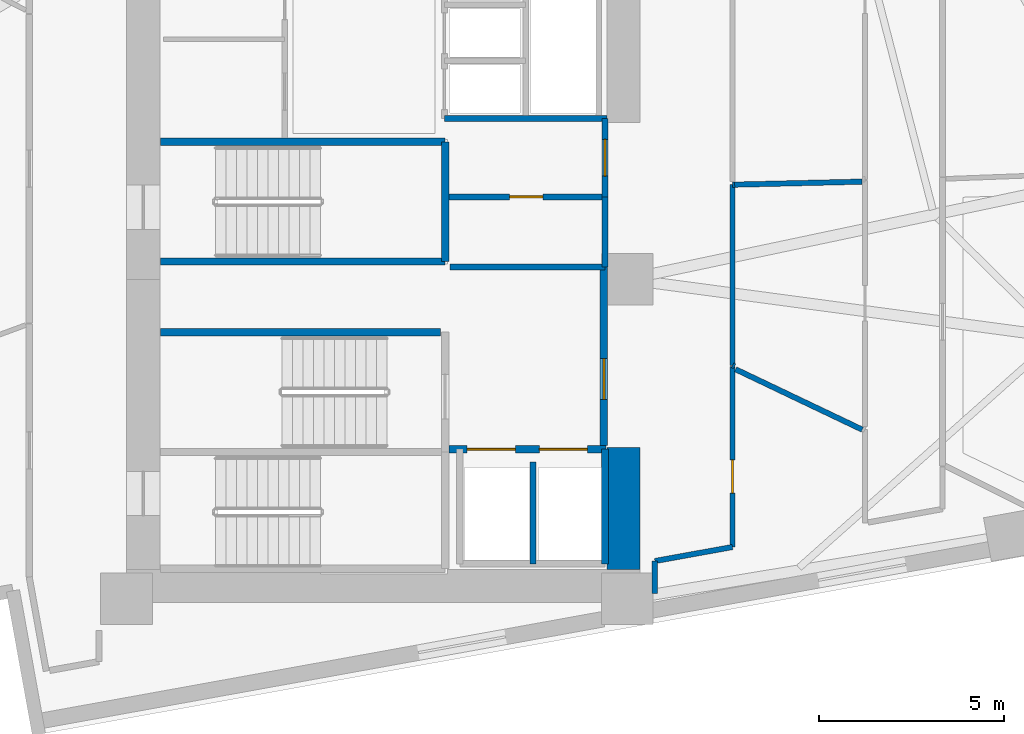
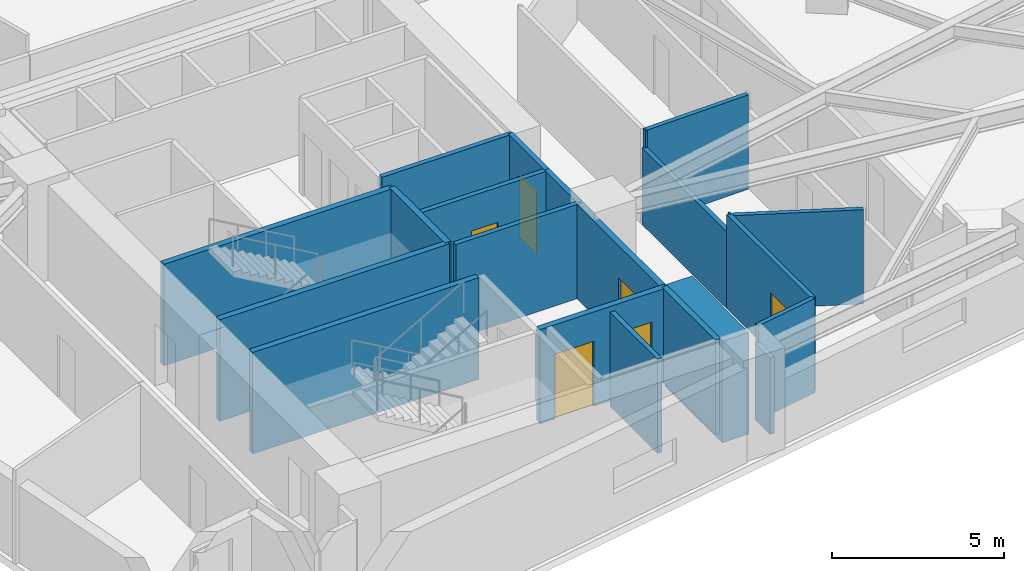
# One storey, part 13 of 19: 22 walls, 6 doors, 6 openings.
"""IFC4 building model written with IfcOpenShell, lengths in metres."""

from ifc_helpers import new_model, si_unit, direction, frame, frame_2d, origin, place, context, subcontext, project, spatial, rectangle, extrude, material, layer, layer_set, type_object, element, fill, save


model = new_model("IFC4")

# Units and contexts
model_context = context("Model", 3, precision=1e-05, world=origin(), true_north=direction((0.0, 1.0)))
body_context = subcontext(model_context, "Body", "Model", "MODEL_VIEW")
ifc_project = project(units=[si_unit("LENGTHUNIT", "METRE"), si_unit("AREAUNIT", "SQUARE_METRE"), si_unit("VOLUMEUNIT", "CUBIC_METRE"), si_unit("PLANEANGLEUNIT", "RADIAN"), si_unit("MASSUNIT", "GRAM", prefix="KILO")], contexts=[model_context])

# Site, building, storey
site_placement = place(None, origin())
site = spatial("IfcSite", under=ifc_project, at=site_placement, CompositionType="ELEMENT")
building_placement = place(site_placement, origin())
building = spatial("IfcBuilding", under=site, at=building_placement, Name="Narakoshi Arena Tower", CompositionType="ELEMENT")
storey_placement = place(building_placement, frame((0.0, 0.0, 113.699951171875)))
storey = spatial("IfcBuildingStorey", under=building, at=storey_placement, Name="L30", CompositionType="ELEMENT", Elevation=113.699951171875)

# Wall
ifc_material_1 = material(Name="Concrete C60/75", Category="concrete")
ifc_layer_1 = layer(ifc_material_1, 0.89990234375)
ifc_layer_set_1 = layer_set([ifc_layer_1], Name="Concrete C60/75")
wall_type_1 = type_object("IfcWallType", Name="WL-CORE-900", PredefinedType="SHEAR", material=ifc_layer_set_1)
wall_1_placement = place(storey_placement, frame((85.449951171875, 35.5, -0.260009765625), z_axis=(0.0, 0.0, 1.0), x_axis=(0.0, 1.0, 0.0)))
element("IfcWall", 1, at=wall_1_placement, inside=storey, type_object=wall_type_1, Name="L30 Central Core Shear Wall CW-APX-E", PredefinedType="SHEAR", context=body_context, shape_type="SweptSolid", body=[
    extrude(rectangle(XDim=3.300048828125, YDim=0.89990234375, at=frame_2d((1.64990234375, 0.0))), origin(), (0.0, 0.0, 1.0), 3.60009765625),
])

# Wall, opening, door
ifc_material_2 = material(Name="Gypsum plasterboard fire-rated partition")
ifc_layer_2 = layer(ifc_material_2, 0.1650390625)
ifc_layer_set_2 = layer_set([ifc_layer_2], Name="Gypsum plasterboard fire-rated partition")
wall_type_2 = type_object("IfcWallType", Name="WL-CORR-165", PredefinedType="PARTITIONING", material=ifc_layer_set_2)
wall_2_placement = place(storey_placement, frame((84.949951171875, 45.580078125, 0.0), z_axis=(0.0, 0.0, 1.0), x_axis=(0.0, 1.0, 0.0)))
wall_2 = element("IfcWall", 2, at=wall_2_placement, inside=storey, type_object=wall_type_2, Name="L30 Core Wall CPAS-E", PredefinedType="PARTITIONING", context=body_context, shape_type="SweptSolid", body=[
    extrude(rectangle(XDim=2.119873046875, YDim=0.1650390625, at=frame_2d((1.06005859375, 0.0))), origin(), (0.0, 0.0, 1.0), 3.340087890625),
])
opening_1_placement = place(wall_2_placement, frame((0.56005859375, 0.0, 0.0)))
opening_1 = element("IfcOpeningElement", 3, at=opening_1_placement, cuts=wall_2, Name="Opening D-06", PredefinedType="OPENING", context=body_context, shape_type="SweptSolid", body=[
    extrude(rectangle(XDim=1.0, YDim=2.199951171875, at=frame_2d((0.5, 1.10009765625))), frame((0.0, 0.092529296875, 0.0), z_axis=(0.0, -1.0, 0.0), x_axis=(1.0, 0.0, 0.0)), (0.0, 0.0, 1.0), 0.18505859375),
])
ifc_material_3 = material(Name="Stained oak solid-core timber", Category="wood")
door_type_1 = type_object("IfcDoorType", Name="DR-OFF-1000", OperationType="NOTDEFINED", PredefinedType="DOOR", material=ifc_material_3)
door_1_placement = place(opening_1_placement, frame((1.0, 0.0, 0.0), z_axis=(0.0, 0.0, 1.0), x_axis=(-1.0, 0.0, 0.0)))
door_1 = element("IfcDoor", 4, at=door_1_placement, inside=storey, type_object=door_type_1, Name="DR-L30-008", OperationType="SINGLE_SWING_LEFT", OverallHeight=2.199951171875, OverallWidth=1.0, PredefinedType="DOOR", context=body_context, shape_type="SweptSolid", body=[
    extrude(rectangle(XDim=1.0, YDim=2.199951171875, at=frame_2d((0.5, 1.10009765625))), frame((0.0, 0.02490234375, 0.0), z_axis=(0.0, -1.0, 0.0), x_axis=(1.0, 0.0, 0.0)), (0.0, 0.0, 1.0), 0.050048828125),
])
fill(opening_1, door_1)

# Walls
ifc_material_4 = material(Name="Concrete C40/50", Category="concrete")
ifc_layer_3 = layer(ifc_material_4, 0.280029296875)
ifc_layer_set_3 = layer_set([ifc_layer_3], Name="Concrete C40/50")
wall_type_3 = type_object("IfcWallType", Name="WL-RISER-280", PredefinedType="PLUMBINGWALL", material=ifc_layer_set_3)
wall_3_placement = place(storey_placement, frame((83.0, 35.64990234375, 0.0), z_axis=(0.0, 0.0, 1.0), x_axis=(0.0, 1.0, 0.0)))
element("IfcWall", 5, at=wall_3_placement, inside=storey, type_object=wall_type_3, Name="L30 Core Wall FF-DIV", PredefinedType="PLUMBINGWALL", context=body_context, shape_type="SweptSolid", body=[
    extrude(rectangle(XDim=2.75, YDim=0.159912109375, at=frame_2d((1.375, 0.0))), origin(), (0.0, 0.0, 1.0), 3.340087890625),
])
wall_4_placement = place(storey_placement, frame((84.949951171875, 43.679931640625, 0.0), z_axis=(0.0, 0.0, 1.0), x_axis=(0.0, 1.0, 0.0)))
element("IfcWall", 6, at=wall_4_placement, inside=storey, type_object=wall_type_3, Name="L30 Core Wall RSR-E", PredefinedType="PLUMBINGWALL", context=body_context, shape_type="SweptSolid", body=[
    extrude(rectangle(XDim=1.900146484375, YDim=0.1650390625, at=frame_2d((0.9501953125, 0.0))), origin(), (0.0, 0.0, 1.0), 3.340087890625),
])

# Wall, opening, door
wall_5_placement = place(storey_placement, frame((80.719970703125, 45.580078125, 0.0), z_axis=(0.0, 0.0, 1.0), x_axis=(1.0, 0.0, 0.0)))
wall_5 = element("IfcWall", 7, at=wall_5_placement, inside=storey, type_object=wall_type_3, Name="L30 Core Wall RSR-N", PredefinedType="PLUMBINGWALL", context=body_context, shape_type="SweptSolid", body=[
    extrude(rectangle(XDim=4.22998046875, YDim=0.159912109375, at=frame_2d((2.114990234375, 0.0))), origin(), (0.0, 0.0, 1.0), 3.340087890625),
])
opening_2_placement = place(wall_5_placement, frame((1.64990234375, 0.0, 0.0)))
opening_2 = element("IfcOpeningElement", 8, at=opening_2_placement, cuts=wall_5, Name="Opening D-08", PredefinedType="OPENING", context=body_context, shape_type="SweptSolid", body=[
    extrude(rectangle(XDim=0.89990234375, YDim=2.10009765625, at=frame_2d((0.449951171875, 1.050048828125))), frame((0.0, 0.08984375, 0.0), z_axis=(0.0, -1.0, 0.0), x_axis=(1.0, 0.0, 0.0)), (0.0, 0.0, 1.0), 0.179931640625),
])
ifc_material_5 = material(Name="Moisture-resistant laminate timber", Category="wood")
door_type_2 = type_object("IfcDoorType", Name="DR-WC-900", OperationType="NOTDEFINED", PredefinedType="DOOR", material=ifc_material_5)
door_2_placement = place(opening_2_placement, frame((0.89990234375, 0.0, 0.0), z_axis=(0.0, 0.0, 1.0), x_axis=(-1.0, 0.0, 0.0)))
door_2 = element("IfcDoor", 9, at=door_2_placement, inside=storey, type_object=door_type_2, Name="DR-L30-009", OperationType="SINGLE_SWING_LEFT", OverallHeight=2.10009765625, OverallWidth=0.89990234375, PredefinedType="DOOR", context=body_context, shape_type="SweptSolid", body=[
    extrude(rectangle(XDim=0.89990234375, YDim=2.10009765625, at=frame_2d((0.449951171875, 1.050048828125))), frame((0.0, 0.02490234375, 0.0), z_axis=(0.0, -1.0, 0.0), x_axis=(1.0, 0.0, 0.0)), (0.0, 0.0, 1.0), 0.050048828125),
])
fill(opening_2, door_2)

# Wall
wall_6_placement = place(storey_placement, frame((80.760009765625, 43.679931640625, 0.0), z_axis=(0.0, 0.0, 1.0), x_axis=(1.0, 0.0, 0.0)))
element("IfcWall", 10, at=wall_6_placement, inside=storey, type_object=wall_type_3, Name="L30 Core Wall RSR-S", PredefinedType="PLUMBINGWALL", context=body_context, shape_type="SweptSolid", body=[
    extrude(rectangle(XDim=4.18994140625, YDim=0.159912109375, at=frame_2d((2.094970703125, 0.0))), origin(), (0.0, 0.0, 1.0), 3.340087890625),
])

# Wall, openings, doors
ifc_material_6 = material(Name="Concrete C50/60", Category="concrete")
ifc_layer_4 = layer(ifc_material_6, 0.35009765625)
ifc_layer_set_4 = layer_set([ifc_layer_4], Name="Concrete C50/60")
wall_type_4 = type_object("IfcWallType", Name="WL-SHAFT-350", PredefinedType="SOLIDWALL", material=ifc_layer_set_4)
wall_7_placement = place(storey_placement, frame((80.719970703125, 38.75, 0.0), z_axis=(0.0, 0.0, 1.0), x_axis=(1.0, 0.0, 0.0)))
wall_7 = element("IfcWall", 11, at=wall_7_placement, inside=storey, type_object=wall_type_4, Name="L30 Core Wall FF-N", PredefinedType="SOLIDWALL", context=body_context, shape_type="SweptSolid", body=[
    extrude(rectangle(XDim=4.260009765625, YDim=0.199951171875, at=frame_2d((2.1298828125, 0.0))), origin(), (0.0, 0.0, 1.0), 3.340087890625),
])
opening_3_placement = place(wall_7_placement, frame((0.5, 0.0, 0.0)))
opening_3 = element("IfcOpeningElement", 12, at=opening_3_placement, cuts=wall_7, Name="Opening LD-02", PredefinedType="OPENING", context=body_context, shape_type="SweptSolid", body=[
    extrude(rectangle(XDim=1.300048828125, YDim=2.300048828125, at=frame_2d((0.64990234375, 1.14990234375))), frame((0.0, 0.10986328125, 0.0), z_axis=(0.0, -1.0, 0.0), x_axis=(1.0, 0.0, 0.0)), (0.0, 0.0, 1.0), 0.219970703125),
])
opening_4_placement = place(wall_7_placement, frame((2.449951171875, 0.0, 0.0)))
opening_4 = element("IfcOpeningElement", 13, at=opening_4_placement, cuts=wall_7, Name="Opening LD-02", PredefinedType="OPENING", context=body_context, shape_type="SweptSolid", body=[
    extrude(rectangle(XDim=1.300048828125, YDim=2.300048828125, at=frame_2d((0.64990234375, 1.14990234375))), frame((0.0, 0.10986328125, 0.0), z_axis=(0.0, -1.0, 0.0), x_axis=(1.0, 0.0, 0.0)), (0.0, 0.0, 1.0), 0.219970703125),
])
ifc_material_7 = material(Name="Brushed bronze stainless steel", Category="steel")
door_type_3 = type_object("IfcDoorType", Name="DR-LFT-1300", OperationType="DOUBLE_DOOR_SLIDING", PredefinedType="DOOR", material=ifc_material_7)
door_3_placement = place(opening_3_placement, origin())
door_3 = element("IfcDoor", 14, at=door_3_placement, inside=storey, type_object=door_type_3, Name="DR-L30-004", OperationType="DOUBLE_DOOR_SLIDING", OverallHeight=2.300048828125, OverallWidth=1.300048828125, PredefinedType="DOOR", context=body_context, shape_type="SweptSolid", body=[
    extrude(rectangle(XDim=1.300048828125, YDim=2.300048828125, at=frame_2d((0.64990234375, 1.14990234375))), frame((0.0, 0.02490234375, 0.0), z_axis=(0.0, -1.0, 0.0), x_axis=(1.0, 0.0, 0.0)), (0.0, 0.0, 1.0), 0.050048828125),
])
fill(opening_3, door_3)
door_4_placement = place(opening_4_placement, origin())
door_4 = element("IfcDoor", 15, at=door_4_placement, inside=storey, type_object=door_type_3, Name="DR-L30-005", OperationType="DOUBLE_DOOR_SLIDING", OverallHeight=2.300048828125, OverallWidth=1.300048828125, PredefinedType="DOOR", context=body_context, shape_type="SweptSolid", body=[
    extrude(rectangle(XDim=1.300048828125, YDim=2.300048828125, at=frame_2d((0.64990234375, 1.14990234375))), frame((0.0, 0.02490234375, 0.0), z_axis=(0.0, -1.0, 0.0), x_axis=(1.0, 0.0, 0.0)), (0.0, 0.0, 1.0), 0.050048828125),
])
fill(opening_4, door_4)

# Wall
wall_8_placement = place(storey_placement, frame((84.949951171875, 35.64990234375, 0.0), z_axis=(0.0, 0.0, 1.0), x_axis=(0.0, 1.0, 0.0)))
element("IfcWall", 16, at=wall_8_placement, inside=storey, type_object=wall_type_4, Name="L30 Core Wall FF-E", PredefinedType="SOLIDWALL", context=body_context, shape_type="SweptSolid", body=[
    extrude(rectangle(XDim=3.10009765625, YDim=0.179931640625, at=frame_2d((1.550048828125, 0.0))), origin(), (0.0, 0.0, 1.0), 3.340087890625),
])

# Wall, opening, door
wall_9_placement = place(storey_placement, frame((84.919921875, 38.85009765625, 0.0), z_axis=(0.0, 0.0, 1.0), x_axis=(0.0, 1.0, 0.0)))
wall_9 = element("IfcWall", 17, at=wall_9_placement, inside=storey, type_object=wall_type_4, Name="L30 Core Wall FFLOB-E", PredefinedType="SOLIDWALL", context=body_context, shape_type="SweptSolid", body=[
    extrude(rectangle(XDim=4.829833984375, YDim=0.199951171875, at=frame_2d((2.4150390625, 0.0))), origin(), (0.0, 0.0, 1.0), 3.340087890625),
])
opening_5_placement = place(wall_9_placement, frame((1.25, 0.0, 0.0)))
opening_5 = element("IfcOpeningElement", 18, at=opening_5_placement, cuts=wall_9, Name="Opening D-04", PredefinedType="OPENING", context=body_context, shape_type="SweptSolid", body=[
    extrude(rectangle(XDim=1.10009765625, YDim=2.199951171875, at=frame_2d((0.550048828125, 1.10009765625))), frame((0.0, 0.10986328125, 0.0), z_axis=(0.0, -1.0, 0.0), x_axis=(1.0, 0.0, 0.0)), (0.0, 0.0, 1.0), 0.219970703125),
])
ifc_material_8 = material(Name="Painted galvanized steel", Category="steel")
door_type_4 = type_object("IfcDoorType", Name="DR-FFL-1100", OperationType="NOTDEFINED", PredefinedType="DOOR", material=ifc_material_8)
door_5_placement = place(opening_5_placement, frame((1.10009765625, 0.0, 0.0), z_axis=(0.0, 0.0, 1.0), x_axis=(-1.0, 0.0, 0.0)))
door_5 = element("IfcDoor", 19, at=door_5_placement, inside=storey, type_object=door_type_4, Name="DR-L30-006", OperationType="SINGLE_SWING_RIGHT", OverallHeight=2.199951171875, OverallWidth=1.10009765625, PredefinedType="DOOR", context=body_context, shape_type="SweptSolid", body=[
    extrude(rectangle(XDim=1.10009765625, YDim=2.199951171875, at=frame_2d((0.550048828125, 1.10009765625))), frame((0.0, 0.02490234375, 0.0), z_axis=(0.0, -1.0, 0.0), x_axis=(1.0, 0.0, 0.0)), (0.0, 0.0, 1.0), 0.050048828125),
])
fill(opening_5, door_5)

# Walls
wall_10_placement = place(storey_placement, frame((72.919921875, 41.919921875, -0.260009765625), z_axis=(0.0, 0.0, 1.0), x_axis=(1.0, 0.0, 0.0)))
element("IfcWall", 20, at=wall_10_placement, inside=storey, type_object=wall_type_4, Name="L30 Core Wall ST2-N", PredefinedType="SOLIDWALL", context=body_context, shape_type="SweptSolid", body=[
    extrude(rectangle(XDim=7.580078125, YDim=0.199951171875, at=frame_2d((3.7900390625, 0.0))), origin(), (0.0, 0.0, 1.0), 3.60009765625),
])
for number, where, z_axis, x_axis, name in (
    (21, (72.919921875, 43.830078125, -0.260009765625), (0.0, 0.0, 1.0), (1.0, 0.0, 0.0), "L30 Core Wall ST3-S"),
    (22, (72.919921875, 47.070068359375, -0.260009765625), (0.0, 0.0, 1.0), (1.0, 0.0, 0.0), "L30 Core Wall ST3-N"),
):
    element("IfcWall", number, at=place(storey_placement, frame(where, z_axis=z_axis, x_axis=x_axis)), inside=storey, type_object=wall_type_4, Name=name, PredefinedType="SOLIDWALL", context=body_context, shape_type="SweptSolid", body=[
        extrude(rectangle(XDim=7.7001953125, YDim=0.199951171875, at=frame_2d((3.85009765625, 0.0))), origin(), (0.0, 0.0, 1.0), 3.60009765625),
    ])
wall_11_placement = place(storey_placement, frame((80.6201171875, 43.830078125, -0.260009765625), z_axis=(0.0, 0.0, 1.0), x_axis=(0.0, 1.0, 0.0)))
element("IfcWall", 23, at=wall_11_placement, inside=storey, type_object=wall_type_4, Name="L30 Core Wall ST3-E", PredefinedType="SOLIDWALL", context=body_context, shape_type="SweptSolid", body=[
    extrude(rectangle(XDim=3.239990234375, YDim=0.199951171875, at=frame_2d((1.6201171875, 0.0))), origin(), (0.0, 0.0, 1.0), 3.60009765625),
])
wall_12_placement = place(storey_placement, frame((80.60009765625, 47.699951171875, 0.0), z_axis=(0.0, 0.0, 1.0), x_axis=(1.0, 0.0, 0.0)))
element("IfcWall", 24, at=wall_12_placement, inside=storey, type_object=wall_type_4, Name="L30 Core Wall MR-S", PredefinedType="SOLIDWALL", context=body_context, shape_type="SweptSolid", body=[
    extrude(rectangle(XDim=4.39990234375, YDim=0.159912109375, at=frame_2d((2.199951171875, 0.0))), origin(), (0.0, 0.0, 1.0), 3.340087890625),
])

# Wall, opening, door
ifc_material_9 = material(Name="Moisture-resistant cement-board partition")
ifc_layer_5 = layer(ifc_material_9, 0.14501953125)
ifc_layer_set_5 = layer_set([ifc_layer_5], Name="Moisture-resistant cement-board partition")
wall_type_5 = type_object("IfcWallType", Name="WL-WET-145", PredefinedType="PARTITIONING", material=ifc_layer_set_5)
wall_13_placement = place(storey_placement, frame((88.39990234375, 36.10400390625, 0.0), z_axis=(0.0, 0.0, 1.0), x_axis=(0.0, 1.0, 0.0)))
wall_13 = element("IfcWall", 25, at=wall_13_placement, inside=storey, type_object=wall_type_5, Name="L30 Corridor Partition 03-1", PredefinedType="PARTITIONING", context=body_context, shape_type="SweptSolid", body=[
    extrude(rectangle(XDim=4.889892578125, YDim=0.14501953125, at=frame_2d((2.44482421875, 0.0))), origin(), (0.0, 0.0, 1.0), 3.340087890625),
])
opening_6_placement = place(wall_13_placement, frame((1.456298828125, 0.0, 0.0)))
opening_6 = element("IfcOpeningElement", 26, at=opening_6_placement, cuts=wall_13, Name="Opening D-08", PredefinedType="OPENING", context=body_context, shape_type="SweptSolid", body=[
    extrude(rectangle(XDim=0.89990234375, YDim=2.10009765625, at=frame_2d((0.449951171875, 1.050048828125))), frame((0.0, 0.08251953125, 0.0), z_axis=(0.0, -1.0, 0.0), x_axis=(1.0, 0.0, 0.0)), (0.0, 0.0, 1.0), 0.1650390625),
])
door_6_placement = place(opening_6_placement, frame((0.89990234375, 0.0, 0.0), z_axis=(0.0, 0.0, 1.0), x_axis=(-1.0, 0.0, 0.0)))
door_6 = element("IfcDoor", 27, at=door_6_placement, inside=storey, type_object=door_type_2, Name="DR-L30-017", OperationType="SINGLE_SWING_RIGHT", OverallHeight=2.10009765625, OverallWidth=0.89990234375, PredefinedType="DOOR", context=body_context, shape_type="SweptSolid", body=[
    extrude(rectangle(XDim=0.89990234375, YDim=2.10009765625, at=frame_2d((0.449951171875, 1.050048828125))), frame((0.0, 0.02490234375, 0.0), z_axis=(0.0, -1.0, 0.0), x_axis=(1.0, 0.0, 0.0)), (0.0, 0.0, 1.0), 0.050048828125),
])
fill(opening_6, door_6)

# Walls
wall_14_placement = place(storey_placement, frame((86.300048828125, 35.724365234375, 0.0), z_axis=(0.0, 0.0, 1.0), x_axis=(0.984046990905, 0.177908739781, 0.0)))
element("IfcWall", 28, at=wall_14_placement, inside=storey, type_object=wall_type_5, Name="L30 Corridor Partition 03-3", PredefinedType="PARTITIONING", context=body_context, shape_type="SweptSolid", body=[
    extrude(rectangle(XDim=2.1337890625, YDim=0.14501953125, at=frame_2d((1.06689453125, 0.0))), origin(), (0.0, 0.0, 1.0), 3.340087890625),
])
wall_15_placement = place(storey_placement, frame((88.484619140625, 40.91357421875, 0.0), z_axis=(0.0, 0.0, 1.0), x_axis=(0.902716653577, -0.430235567283, 0.0)))
element("IfcWall", 29, at=wall_15_placement, inside=storey, type_object=wall_type_5, Name="L30 Inter-Room Partition 03-04", PredefinedType="PARTITIONING", context=body_context, shape_type="SweptSolid", body=[
    extrude(rectangle(XDim=3.796875, YDim=0.14501953125, at=frame_2d((1.8984375, 0.0))), origin(), (0.0, 0.0, 1.0), 3.340087890625),
])
wall_16_placement = place(storey_placement, frame((88.39990234375, 41.0205078125, 0.0), z_axis=(0.0, 0.0, 1.0), x_axis=(0.0, 1.0, 0.0)))
element("IfcWall", 30, at=wall_16_placement, inside=storey, type_object=wall_type_5, Name="L30 Corridor Partition 04-2", PredefinedType="PARTITIONING", context=body_context, shape_type="SweptSolid", body=[
    extrude(rectangle(XDim=4.8896484375, YDim=0.14501953125, at=frame_2d((2.44482421875, 0.0))), origin(), (0.0, 0.0, 1.0), 2.72509765625),
])
wall_17_placement = place(storey_placement, frame((88.45556640625, 40.993896484375, 0.0), z_axis=(0.0, 0.0, 1.0), x_axis=(-0.902201175769, 0.431315474381, 0.0)))
element("IfcWall", 31, at=wall_17_placement, inside=storey, type_object=wall_type_5, Name="L30 Corridor Partition 04-3", PredefinedType="PARTITIONING", context=body_context, shape_type="SweptSolid", body=[
    extrude(rectangle(XDim=0.061767578125, YDim=0.14501953125, at=frame_2d((0.03076171875, 0.0))), origin(), (0.0, 0.0, 1.0), 3.340087890625),
])
wall_18_placement = place(storey_placement, frame((88.39990234375, 45.91015625, 0.0), z_axis=(0.0, 0.0, 1.0), x_axis=(0.999471633277, 0.032503142546, 0.0)))
element("IfcWall", 32, at=wall_18_placement, inside=storey, type_object=wall_type_5, Name="L30 Corridor Partition 04-4", PredefinedType="PARTITIONING", context=body_context, shape_type="SweptSolid", body=[
    extrude(rectangle(XDim=0.06005859375, YDim=0.14501953125, at=frame_2d((0.030029296875, 0.0))), origin(), (0.0, 0.0, 1.0), 3.340087890625),
])
wall_19_placement = place(storey_placement, frame((88.4599609375, 45.91162109375, 0.0), z_axis=(0.0, 0.0, 1.0), x_axis=(0.999725922086, 0.023411123637, 0.0)))
element("IfcWall", 33, at=wall_19_placement, inside=storey, type_object=wall_type_5, Name="L30 Inter-Room Partition 04-06", PredefinedType="PARTITIONING", context=body_context, shape_type="SweptSolid", body=[
    extrude(rectangle(XDim=3.44140625, YDim=0.14501953125, at=frame_2d((1.720703125, 0.0))), origin(), (0.0, 0.0, 1.0), 3.340087890625),
])
wall_20_placement = place(storey_placement, frame((86.300048828125, 34.840087890625, 0.0), z_axis=(0.0, 0.0, 1.0), x_axis=(0.0, 1.0, 0.0)))
element("IfcWall", 34, at=wall_20_placement, inside=storey, type_object=wall_type_5, Name="L30 Room Enclosure Partition 03-1", PredefinedType="PARTITIONING", context=body_context, shape_type="SweptSolid", body=[
    extrude(rectangle(XDim=0.88427734375, YDim=0.14501953125, at=frame_2d((0.442138671875, 0.0))), origin(), (0.0, 0.0, 1.0), 2.72509765625),
])

save(model, "model.ifc")
